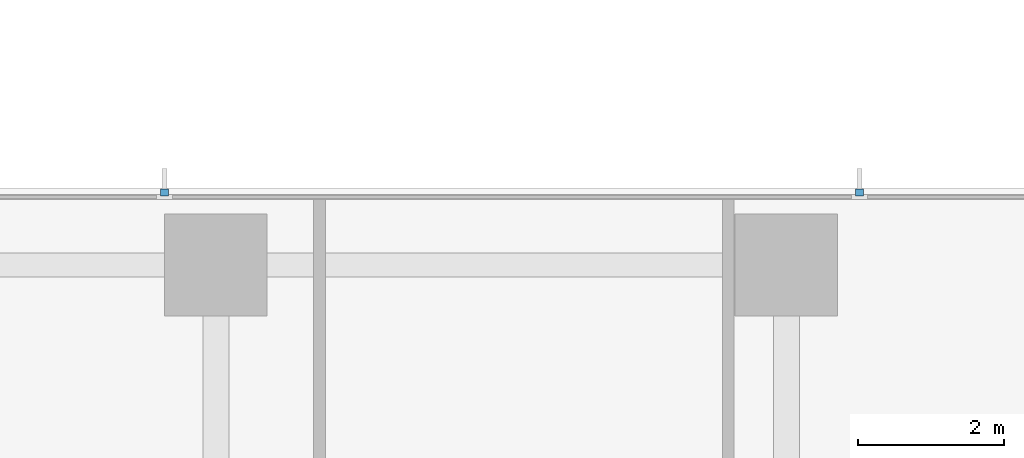
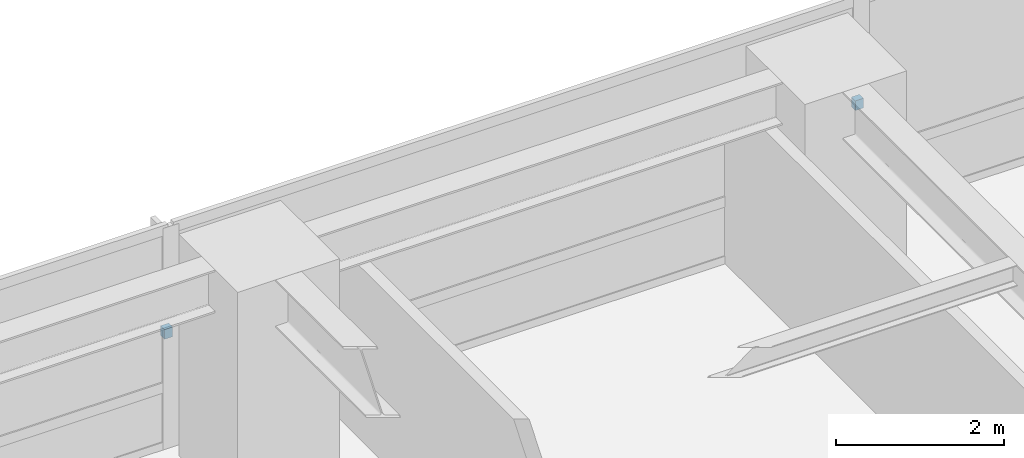
# One storey, part 15 of 18: 2 discrete accessories.
"""IFC4 building model written with IfcOpenShell, lengths in metres."""

from ifc_helpers import new_model, si_unit, direction, frame, origin, place, context, subcontext, project, spatial, polyline, outline, extrude, material, type_object, element, save


model = new_model("IFC4")

# Units and contexts
model_context = context("Model", 3, precision=1e-05, world=origin(), true_north=direction((0.0, 1.0)))
body_context = subcontext(model_context, "Body", "Model", "MODEL_VIEW")
ifc_project = project(units=[si_unit("LENGTHUNIT", "METRE"), si_unit("AREAUNIT", "SQUARE_METRE"), si_unit("VOLUMEUNIT", "CUBIC_METRE"), si_unit("PLANEANGLEUNIT", "RADIAN"), si_unit("MASSUNIT", "GRAM", prefix="KILO")], contexts=[model_context])

# Site, building, storey
site_placement = place(None, origin())
site = spatial("IfcSite", under=ifc_project, at=site_placement, CompositionType="ELEMENT")
building_placement = place(site_placement, origin())
building = spatial("IfcBuilding", under=site, at=building_placement, Name="Qalmaran Belvedere Hotel", CompositionType="ELEMENT")
storey_placement = place(building_placement, frame((0.0, 0.0, 54.39990234375)))
storey = spatial("IfcBuildingStorey", under=building, at=storey_placement, Name="L13", CompositionType="ELEMENT", Elevation=54.39990234375)

# Discrete accessories
ifc_material = material(Name="Stainless Steel 1.4401", Category="steel")
discrete_accessory_type = type_object("IfcDiscreteAccessoryType", Name="BRK-FIN-SS316", PredefinedType="BRACKET", material=ifc_material)
discrete_accessory_1_placement = place(storey_placement, frame((0.0, 0.0, 1.56005859375)))
element("IfcDiscreteAccessory", 1, at=discrete_accessory_1_placement, inside=storey, type_object=discrete_accessory_type, Name="L13 Fin Bracket 1", PredefinedType="BRACKET", context=body_context, shape_type="SweptSolid", body=[
    extrude(outline(polyline([(45.85498046875, 48.39501953125), (45.85498046875, 48.492431640625), (45.7451171875, 48.492431640625), (45.7451171875, 48.39501953125), (45.85498046875, 48.39501953125)])), origin(), (0.0, 0.0, 1.0), 0.14013671875),
])
discrete_accessory_2_placement = place(storey_placement, frame((0.0, 0.0, 1.56005859375)))
element("IfcDiscreteAccessory", 2, at=discrete_accessory_2_placement, inside=storey, type_object=discrete_accessory_type, Name="L13 Fin Bracket 2", PredefinedType="BRACKET", context=body_context, shape_type="SweptSolid", body=[
    extrude(outline(polyline([(36.35498046875, 48.39501953125), (36.35498046875, 48.492431640625), (36.2451171875, 48.492431640625), (36.2451171875, 48.39501953125), (36.35498046875, 48.39501953125)])), origin(), (0.0, 0.0, 1.0), 0.14013671875),
])

save(model, "model.ifc")
